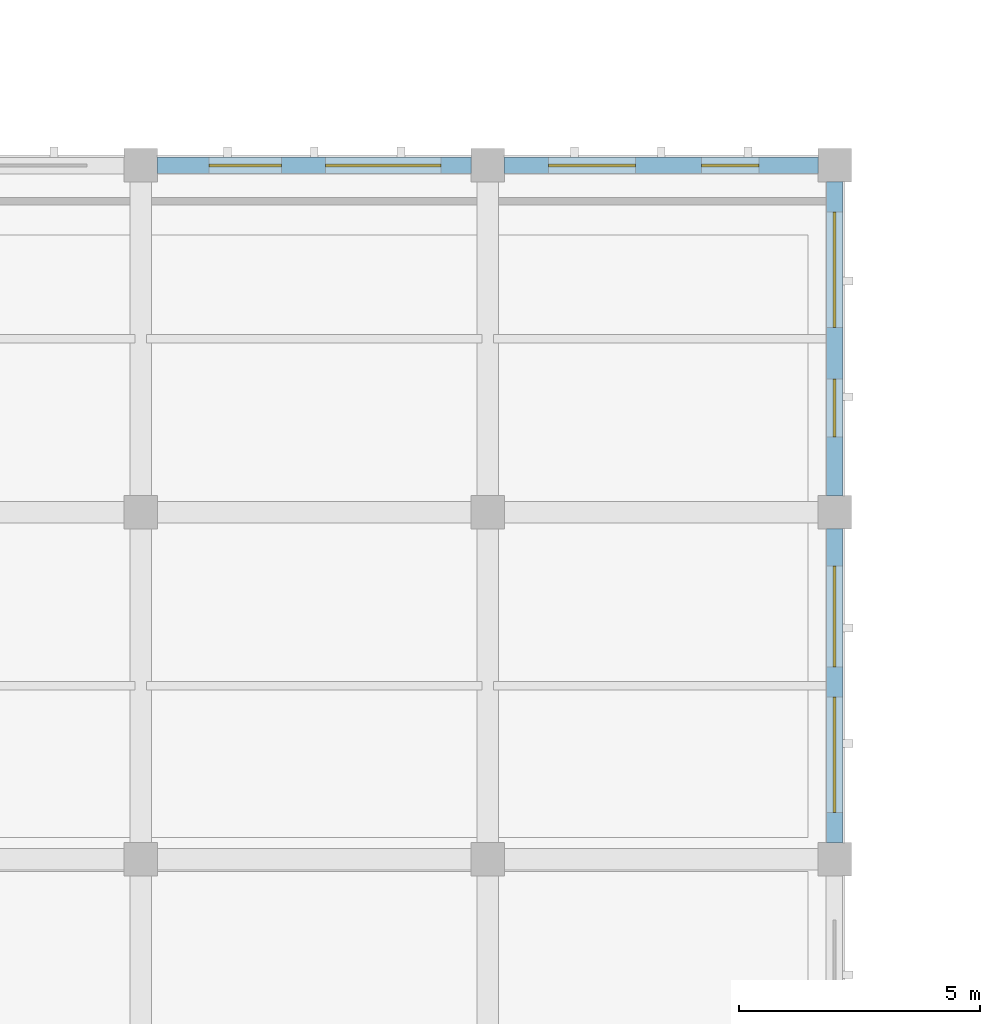
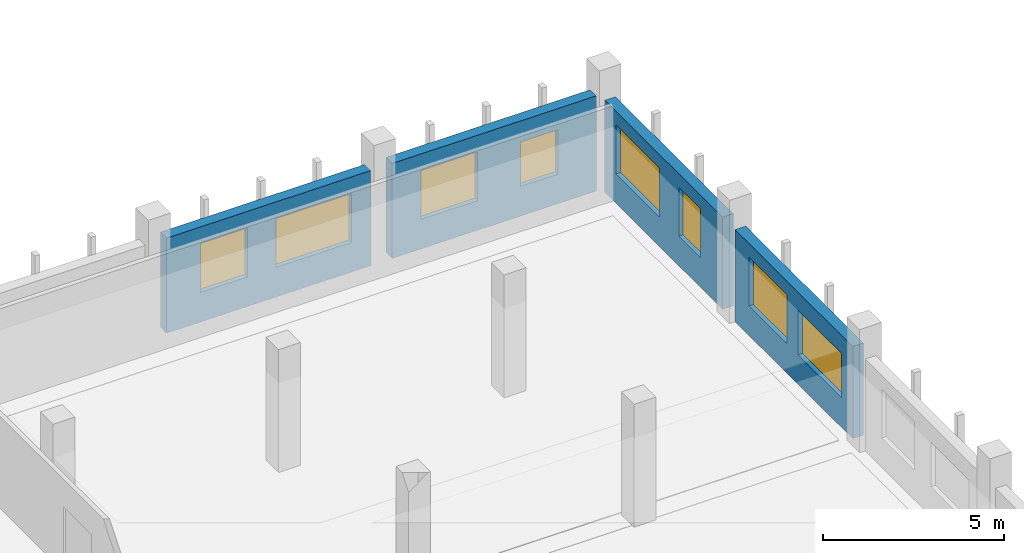
# One storey, part 38 of 57: 8 windows, 4 walls, 8 openings.
"""IFC4 building model written with IfcOpenShell, lengths in metres."""

import ifcopenshell
import ifcopenshell.guid

model = None  # the IFC model being written
_history = None  # IfcOwnerHistory: only IFC2X3 demands one
_inside = {}  # id of a spatial element -> (the spatial element, [elements in it])
_under = {}  # id of a project, library or spatial element -> (it, [spatial elements below it])
_declared = {}  # id of a project -> (the project, [libraries it declares])
_typed = {}  # id of a type object -> (the type object, [elements of that type])
_made_of = {}  # id of a material, layer set ... -> (it, [elements and type objects made of it])


def new_model(schema):
    """Start an empty IFC model of exactly this schema.

    Asked for "IFC4X3", IfcOpenShell would pick the latest addendum, in which some entities
    have other attributes; the version numbers below select the first issue.
    IFC2X3 requires an IfcOwnerHistory on every rooted entity: one is made here for all.
    """
    global model, _history
    if schema == "IFC4X3":
        model = ifcopenshell.file(schema_version=(4, 3, 0, 0))
    else:
        model = ifcopenshell.file(schema=schema)
    _inside.clear()
    _under.clear()
    _declared.clear()
    _typed.clear()
    _made_of.clear()
    _history = None
    if model.schema == "IFC2X3":
        org = make("IfcOrganization", Name="unknown")
        user = make(
            "IfcPersonAndOrganization",
            ThePerson=make("IfcPerson", FamilyName="unknown"),
            TheOrganization=org,
        )
        app = make(
            "IfcApplication",
            ApplicationDeveloper=org,
            Version="unknown",
            ApplicationFullName="unknown",
            ApplicationIdentifier="unknown",
        )
        _history = make(
            "IfcOwnerHistory",
            OwningUser=user,
            OwningApplication=app,
            ChangeAction="ADDED",
            CreationDate=0,
        )
    return model


def make(cls, **values):
    """One entity of the class cls with the attributes given. An attribute that is None is left unset."""
    return model.create_entity(
        cls, **{name: value for name, value in values.items() if value is not None}
    )


def rooted(cls, **values):
    """An entity with a GlobalId (a new one), such as an element, a storey or a relation."""
    return make(cls, GlobalId=ifcopenshell.guid.new(), OwnerHistory=_history, **values)


def si_unit(unit_type, name, prefix=None):
    """IfcSIUnit, for example si_unit("LENGTHUNIT", "METRE", prefix="MILLI")."""
    return make("IfcSIUnit", UnitType=unit_type, Prefix=prefix, Name=name)


def assignment(units):
    """IfcUnitAssignment: the units of a project."""
    return None if units is None else make("IfcUnitAssignment", Units=units)


def point(xyz):
    """IfcCartesianPoint."""
    return None if xyz is None else make("IfcCartesianPoint", Coordinates=xyz)


def direction(xyz):
    """IfcDirection."""
    return None if xyz is None else make("IfcDirection", DirectionRatios=xyz)


def frame(location, z_axis=None, x_axis=None):
    """IfcAxis2Placement3D, a coordinate frame: its origin and axes. An axis left out is left unset."""
    return make(
        "IfcAxis2Placement3D",
        Location=point(location),
        Axis=direction(z_axis),
        RefDirection=direction(x_axis),
    )


def frame_2d(location, x_axis=None):
    """IfcAxis2Placement2D, a coordinate frame in the plane: its origin and x axis."""
    return make(
        "IfcAxis2Placement2D", Location=point(location), RefDirection=direction(x_axis)
    )


def origin():
    """The frame at (0, 0, 0) with its axes left unset."""
    return frame((0.0, 0.0, 0.0))


def place(relative_to, where):
    """IfcLocalPlacement: puts the frame where relative to a parent placement (None: the world)."""
    return make(
        "IfcLocalPlacement", PlacementRelTo=relative_to, RelativePlacement=where
    )


def context(
    kind, dimensions, precision=None, world=None, true_north=None, identifier=None
):
    """IfcGeometricRepresentationContext, for example the 3D "Model" context."""
    return make(
        "IfcGeometricRepresentationContext",
        ContextIdentifier=identifier,
        ContextType=kind,
        CoordinateSpaceDimension=dimensions,
        Precision=precision,
        WorldCoordinateSystem=world,
        TrueNorth=true_north,
    )


def subcontext(parent, identifier, kind, view, scale=None):
    """IfcGeometricRepresentationSubContext, for example "Body" below "Model"."""
    return make(
        "IfcGeometricRepresentationSubContext",
        ContextIdentifier=identifier,
        ContextType=kind,
        ParentContext=parent,
        TargetScale=scale,
        TargetView=view,
    )


def project(units=None, contexts=None):
    """IfcProject with its units and contexts."""
    return rooted(
        "IfcProject",
        Name="project",
        RepresentationContexts=contexts,
        UnitsInContext=assignment(units),
    )


def spatial(cls, under=None, at=None, **own):
    """A site, building, storey or space (cls), placed at a placement, below another one or the project."""
    s = rooted(cls, ObjectPlacement=at, **own)
    if under is not None:
        _under.setdefault(under.id(), (under, []))[1].append(s)
    return s


def profile(cls, at=None, kind="AREA", **sizes):
    """A parametric profile (cls). Its sizes go by their IFC names, for example OverallWidth=200.0."""
    return make(cls, ProfileType=kind, Position=at, **sizes)


def rectangle(**sizes):
    """IfcRectangleProfileDef."""
    return profile("IfcRectangleProfileDef", **sizes)


def extrude(swept, where, along, depth):
    """IfcExtrudedAreaSolid: the profile swept, set in the frame where, extruded along a direction by depth."""
    return make(
        "IfcExtrudedAreaSolid",
        SweptArea=swept,
        Position=where,
        ExtrudedDirection=direction(along),
        Depth=depth,
    )


def shape(context_of_items, identifier, shape_type, items):
    """IfcShapeRepresentation: the items that make up one representation, for example the "Body"."""
    return make(
        "IfcShapeRepresentation",
        ContextOfItems=context_of_items,
        RepresentationIdentifier=identifier,
        RepresentationType=shape_type,
        Items=items,
    )


def material(Name=None, Category=None):
    """IfcMaterial."""
    return make("IfcMaterial", Name=Name, Category=Category)


def layer(
    of_material, thickness, ventilated=None, Name=None, Category=None, Priority=None
):
    """IfcMaterialLayer: one layer of a wall or slab, of a material (None: an air gap)."""
    return make(
        "IfcMaterialLayer",
        Material=of_material,
        LayerThickness=thickness,
        IsVentilated=ventilated,
        Name=Name,
        Category=Category,
        Priority=Priority,
    )


def layer_set(layers, Name=None):
    """IfcMaterialLayerSet."""
    return make("IfcMaterialLayerSet", MaterialLayers=layers, LayerSetName=Name)


def made_of(thing, what):
    """Note that an element or type object is made of a material, layer set ...; save() writes the relation."""
    if what is not None:
        _made_of.setdefault(what.id(), (what, []))[1].append(thing)
    return thing


def type_object(cls, material=None, **own):
    """A type object (cls), such as IfcWallType, which elements share."""
    return made_of(rooted(cls, **own), material)


def element(
    cls,
    number,
    at=None,
    inside=None,
    cuts=None,
    type_object=None,
    material=None,
    context=None,
    identifier="Body",
    shape_type=None,
    held_by="IfcProductDefinitionShape",
    body=None,
    shapes=None,
    **own,
):
    """One element of the class cls, such as IfcWall. Its Tag is "e" and its number.

    at: its placement. inside: the storey or other place that contains it. cuts: it is an
    opening in that element (IfcRelVoidsElement). A single representation is given by context,
    identifier, shape_type and body (its items); several are given by shapes. held_by: the class
    of the entity that holds the representations. save() writes the other relations.
    """
    e = rooted(cls, Tag="e%d" % number, ObjectPlacement=at, **own)
    if body is not None:
        shapes = [shape(context, identifier, shape_type, body)]
    if shapes is not None:
        e.Representation = make(held_by, Representations=shapes)
    if inside is not None:
        _inside.setdefault(inside.id(), (inside, []))[1].append(e)
    if cuts is not None:
        rooted(
            "IfcRelVoidsElement", RelatingBuildingElement=cuts, RelatedOpeningElement=e
        )
    if type_object is not None:
        _typed.setdefault(type_object.id(), (type_object, []))[1].append(e)
    return made_of(e, material)


def fill(opening, filler):
    """IfcRelFillsElement: the door or window that sits in an opening."""
    return rooted(
        "IfcRelFillsElement",
        RelatingOpeningElement=opening,
        RelatedBuildingElement=filler,
    )


def aggregate(whole, parts):
    """IfcRelAggregates: a whole, such as a stair, and the parts it consists of."""
    return rooted("IfcRelAggregates", RelatingObject=whole, RelatedObjects=parts)


def save(model, path):
    """Write the relations noted so far, then the file.

    IfcRelAggregates (storeys below a building ...), IfcRelContainedInSpatialStructure (elements
    in a storey), IfcRelDefinesByType, IfcRelAssociatesMaterial and IfcRelDeclares: one each for
    every whole, place, type object, material and project.
    """
    for whole, parts in _under.values():
        aggregate(whole, parts)
    for where, things in _inside.values():
        rooted(
            "IfcRelContainedInSpatialStructure",
            RelatedElements=things,
            RelatingStructure=where,
        )
    for kind, things in _typed.values():
        rooted("IfcRelDefinesByType", RelatedObjects=things, RelatingType=kind)
    for what, things in _made_of.values():
        rooted("IfcRelAssociatesMaterial", RelatedObjects=things, RelatingMaterial=what)
    for by, libraries in _declared.values():
        rooted("IfcRelDeclares", RelatingContext=by, RelatedDefinitions=libraries)
    model.write(path)


model = new_model("IFC4")

# Units and contexts
model_context = context("Model", 3, precision=1e-05, world=origin(), true_north=direction((0.0, 1.0)))
body_context = subcontext(model_context, "Body", "Model", "MODEL_VIEW")
ifc_project = project(units=[si_unit("LENGTHUNIT", "METRE"), si_unit("AREAUNIT", "SQUARE_METRE"), si_unit("VOLUMEUNIT", "CUBIC_METRE"), si_unit("PLANEANGLEUNIT", "RADIAN"), si_unit("MASSUNIT", "GRAM", prefix="KILO")], contexts=[model_context])

# Site, building, storey
site_placement = place(None, origin())
site = spatial("IfcSite", under=ifc_project, at=site_placement, CompositionType="ELEMENT")
building_placement = place(site_placement, origin())
building = spatial("IfcBuilding", under=site, at=building_placement, Name="Valkovuoma Quantum and Materials Research Institute", CompositionType="ELEMENT")
storey_placement = place(building_placement, frame((0.0, 0.0, 4.800048828125)))
storey = spatial("IfcBuildingStorey", under=building, at=storey_placement, Name="L01", CompositionType="ELEMENT", Elevation=4.800048828125)

# Wall, openings, windows
ifc_material_1 = material(Name="Precast concrete C40/50", Category="concrete")
ifc_layer = layer(ifc_material_1, 0.340087890625)
ifc_layer_set = layer_set([ifc_layer], Name="Precast concrete C40/50")
wall_type = type_object("IfcWallType", Name="Wall-W-EXT340", PredefinedType="SOLIDWALL", material=ifc_layer_set)
wall_1_placement = place(storey_placement, frame((36.340087890625, 108.0, 0.0), z_axis=(0.0, 0.0, 1.0), x_axis=(1.0, 0.0, 0.0)))
wall_1 = element("IfcWall", 1, at=wall_1_placement, inside=storey, type_object=wall_type, Name="L01 exterior wall 0131", PredefinedType="SOLIDWALL", context=body_context, shape_type="SweptSolid", body=[
    extrude(rectangle(XDim=6.52001953125, YDim=0.340087890625, at=frame_2d((3.260009765625, 0.0))), origin(), (0.0, 0.0, 1.0), 3.2099609375),
])
opening_1_placement = place(wall_1_placement, frame((1.07568359375, 0.0, 1.0)))
opening_1 = element("IfcOpeningElement", 2, at=opening_1_placement, cuts=wall_1, Name="Opening WN-CL07", PredefinedType="OPENING", context=body_context, shape_type="SweptSolid", body=[
    extrude(rectangle(XDim=1.5, YDim=1.64990234375, at=frame_2d((0.75, 0.824951171875))), frame((0.0, 0.18017578125, 0.0), z_axis=(0.0, -1.0, 0.0), x_axis=(1.0, 0.0, 0.0)), (0.0, 0.0, 1.0), 0.360107421875),
])
opening_2_placement = place(wall_1_placement, frame((3.494384765625, 0.0, 1.0)))
opening_2 = element("IfcOpeningElement", 3, at=opening_2_placement, cuts=wall_1, Name="Opening WN-CL10", PredefinedType="OPENING", context=body_context, shape_type="SweptSolid", body=[
    extrude(rectangle(XDim=2.39990234375, YDim=1.64990234375, at=frame_2d((1.199951171875, 0.824951171875))), frame((0.0, 0.18017578125, 0.0), z_axis=(0.0, -1.0, 0.0), x_axis=(1.0, 0.0, 0.0)), (0.0, 0.0, 1.0), 0.360107421875),
])
ifc_material_2 = material(Name="Triple low-E argon glazing in thermally broken aluminium frame", Category="aluminium")
window_type_1 = type_object("IfcWindowType", Name="Win-WN-CL07", PartitioningType="SINGLE_PANEL", PredefinedType="WINDOW", material=ifc_material_2)
window_1_placement = place(opening_1_placement, origin())
window_1 = element("IfcWindow", 4, at=window_1_placement, inside=storey, type_object=window_type_1, Name="L01 window 0132", OverallHeight=1.64990234375, OverallWidth=1.5, PartitioningType="SINGLE_PANEL", PredefinedType="WINDOW", context=body_context, shape_type="SweptSolid", body=[
    extrude(rectangle(XDim=1.5, YDim=1.64990234375, at=frame_2d((0.75, 0.824951171875))), frame((0.0, 0.030029296875, 0.0), z_axis=(0.0, -1.0, 0.0), x_axis=(1.0, 0.0, 0.0)), (0.0, 0.0, 1.0), 0.06005859375),
])
fill(opening_1, window_1)
ifc_material_3 = material(Name="Triple low-E argon glazing in thermally broken aluminium frame", Category="aluminium")
window_type_2 = type_object("IfcWindowType", Name="Win-WN-CL10", PartitioningType="SINGLE_PANEL", PredefinedType="WINDOW", material=ifc_material_3)
window_2_placement = place(opening_2_placement, origin())
window_2 = element("IfcWindow", 5, at=window_2_placement, inside=storey, type_object=window_type_2, Name="L01 window 0133", OverallHeight=1.64990234375, OverallWidth=2.39990234375, PartitioningType="SINGLE_PANEL", PredefinedType="WINDOW", context=body_context, shape_type="SweptSolid", body=[
    extrude(rectangle(XDim=2.39990234375, YDim=1.64990234375, at=frame_2d((1.199951171875, 0.824951171875))), frame((0.0, 0.030029296875, 0.0), z_axis=(0.0, -1.0, 0.0), x_axis=(1.0, 0.0, 0.0)), (0.0, 0.0, 1.0), 0.06005859375),
])
fill(opening_2, window_2)

wall_2_placement = place(storey_placement, frame((43.5400390625, 108.0, 0.0), z_axis=(0.0, 0.0, 1.0), x_axis=(1.0, 0.0, 0.0)))
wall_2 = element("IfcWall", 6, at=wall_2_placement, inside=storey, type_object=wall_type, Name="L01 exterior wall 0132", PredefinedType="SOLIDWALL", context=body_context, shape_type="SweptSolid", body=[
    extrude(rectangle(XDim=6.52001953125, YDim=0.340087890625, at=frame_2d((3.260009765625, 0.0))), origin(), (0.0, 0.0, 1.0), 3.2099609375),
])
opening_3_placement = place(wall_2_placement, frame((0.925537109375, 0.0, 1.0)))
opening_3 = element("IfcOpeningElement", 7, at=opening_3_placement, cuts=wall_2, Name="Opening WN-CL08", PredefinedType="OPENING", context=body_context, shape_type="SweptSolid", body=[
    extrude(rectangle(XDim=1.800048828125, YDim=1.64990234375, at=frame_2d((0.89990234375, 0.824951171875))), frame((0.0, 0.18017578125, 0.0), z_axis=(0.0, -1.0, 0.0), x_axis=(1.0, 0.0, 0.0)), (0.0, 0.0, 1.0), 0.360107421875),
])
opening_4_placement = place(wall_2_placement, frame((4.094482421875, 0.0, 1.0)))
opening_4 = element("IfcOpeningElement", 8, at=opening_4_placement, cuts=wall_2, Name="Opening WN-CL01", PredefinedType="OPENING", context=body_context, shape_type="SweptSolid", body=[
    extrude(rectangle(XDim=1.199951171875, YDim=1.5, at=frame_2d((0.60009765625, 0.75))), frame((0.0, 0.18017578125, 0.0), z_axis=(0.0, -1.0, 0.0), x_axis=(1.0, 0.0, 0.0)), (0.0, 0.0, 1.0), 0.360107421875),
])
ifc_material_4 = material(Name="Triple low-E argon glazing in thermally broken aluminium frame", Category="aluminium")
window_type_3 = type_object("IfcWindowType", Name="Win-WN-CL01", PartitioningType="SINGLE_PANEL", PredefinedType="WINDOW", material=ifc_material_4)
window_3_placement = place(opening_4_placement, origin())
window_3 = element("IfcWindow", 9, at=window_3_placement, inside=storey, type_object=window_type_3, Name="L01 window 0135", OverallHeight=1.5, OverallWidth=1.199951171875, PartitioningType="SINGLE_PANEL", PredefinedType="WINDOW", context=body_context, shape_type="SweptSolid", body=[
    extrude(rectangle(XDim=1.199951171875, YDim=1.5, at=frame_2d((0.60009765625, 0.75))), frame((0.0, 0.030029296875, 0.0), z_axis=(0.0, -1.0, 0.0), x_axis=(1.0, 0.0, 0.0)), (0.0, 0.0, 1.0), 0.06005859375),
])
fill(opening_4, window_3)
ifc_material_5 = material(Name="Triple low-E argon glazing in thermally broken aluminium frame", Category="aluminium")
window_type_4 = type_object("IfcWindowType", Name="Win-WN-CL08", PartitioningType="SINGLE_PANEL", PredefinedType="WINDOW", material=ifc_material_5)
window_4_placement = place(opening_3_placement, origin())
window_4 = element("IfcWindow", 10, at=window_4_placement, inside=storey, type_object=window_type_4, Name="L01 window 0134", OverallHeight=1.64990234375, OverallWidth=1.800048828125, PartitioningType="SINGLE_PANEL", PredefinedType="WINDOW", context=body_context, shape_type="SweptSolid", body=[
    extrude(rectangle(XDim=1.800048828125, YDim=1.64990234375, at=frame_2d((0.89990234375, 0.824951171875))), frame((0.0, 0.030029296875, 0.0), z_axis=(0.0, -1.0, 0.0), x_axis=(1.0, 0.0, 0.0)), (0.0, 0.0, 1.0), 0.06005859375),
])
fill(opening_3, window_4)

wall_3_placement = place(storey_placement, frame((50.39990234375, 93.93994140625, 0.0), z_axis=(0.0, 0.0, 1.0), x_axis=(0.0, 1.0, 0.0)))
wall_3 = element("IfcWall", 11, at=wall_3_placement, inside=storey, type_object=wall_type, Name="L01 exterior wall 0137", PredefinedType="SOLIDWALL", context=body_context, shape_type="SweptSolid", body=[
    extrude(rectangle(XDim=6.52001953125, YDim=0.340087890625, at=frame_2d((3.260009765625, 0.0))), origin(), (0.0, 0.0, 1.0), 3.10986328125),
])
opening_5_placement = place(wall_3_placement, frame((0.62548828125, 0.0, 1.0)))
opening_5 = element("IfcOpeningElement", 12, at=opening_5_placement, cuts=wall_3, Name="Opening WN-CL05", PredefinedType="OPENING", context=body_context, shape_type="SweptSolid", body=[
    extrude(rectangle(XDim=2.39990234375, YDim=1.5, at=frame_2d((1.199951171875, 0.75))), frame((0.0, 0.18017578125, 0.0), z_axis=(0.0, -1.0, 0.0), x_axis=(1.0, 0.0, 0.0)), (0.0, 0.0, 1.0), 0.360107421875),
])
opening_6_placement = place(wall_3_placement, frame((3.644287109375, 0.0, 1.0)))
opening_6 = element("IfcOpeningElement", 13, at=opening_6_placement, cuts=wall_3, Name="Opening WN-CL09", PredefinedType="OPENING", context=body_context, shape_type="SweptSolid", body=[
    extrude(rectangle(XDim=2.10009765625, YDim=1.64990234375, at=frame_2d((1.050048828125, 0.824951171875))), frame((0.0, 0.18017578125, 0.0), z_axis=(0.0, -1.0, 0.0), x_axis=(1.0, 0.0, 0.0)), (0.0, 0.0, 1.0), 0.360107421875),
])
ifc_material_6 = material(Name="Triple low-E argon glazing in thermally broken aluminium frame", Category="aluminium")
window_type_5 = type_object("IfcWindowType", Name="Win-WN-CL05", PartitioningType="SINGLE_PANEL", PredefinedType="WINDOW", material=ifc_material_6)
window_5_placement = place(opening_5_placement, origin())
window_5 = element("IfcWindow", 14, at=window_5_placement, inside=storey, type_object=window_type_5, Name="L01 window 0144", OverallHeight=1.5, OverallWidth=2.39990234375, PartitioningType="SINGLE_PANEL", PredefinedType="WINDOW", context=body_context, shape_type="SweptSolid", body=[
    extrude(rectangle(XDim=2.39990234375, YDim=1.5, at=frame_2d((1.199951171875, 0.75))), frame((0.0, 0.030029296875, 0.0), z_axis=(0.0, -1.0, 0.0), x_axis=(1.0, 0.0, 0.0)), (0.0, 0.0, 1.0), 0.06005859375),
])
fill(opening_5, window_5)
ifc_material_7 = material(Name="Triple low-E argon glazing in thermally broken aluminium frame", Category="aluminium")
window_type_6 = type_object("IfcWindowType", Name="Win-WN-CL09", PartitioningType="SINGLE_PANEL", PredefinedType="WINDOW", material=ifc_material_7)
window_6_placement = place(opening_6_placement, origin())
window_6 = element("IfcWindow", 15, at=window_6_placement, inside=storey, type_object=window_type_6, Name="L01 window 0145", OverallHeight=1.64990234375, OverallWidth=2.10009765625, PartitioningType="SINGLE_PANEL", PredefinedType="WINDOW", context=body_context, shape_type="SweptSolid", body=[
    extrude(rectangle(XDim=2.10009765625, YDim=1.64990234375, at=frame_2d((1.050048828125, 0.824951171875))), frame((0.0, 0.030029296875, 0.0), z_axis=(0.0, -1.0, 0.0), x_axis=(1.0, 0.0, 0.0)), (0.0, 0.0, 1.0), 0.06005859375),
])
fill(opening_6, window_6)

wall_4_placement = place(storey_placement, frame((50.39990234375, 101.139892578125, 0.0), z_axis=(0.0, 0.0, 1.0), x_axis=(0.0, 1.0, 0.0)))
wall_4 = element("IfcWall", 16, at=wall_4_placement, inside=storey, type_object=wall_type, Name="L01 exterior wall 0138", PredefinedType="SOLIDWALL", context=body_context, shape_type="SweptSolid", body=[
    extrude(rectangle(XDim=6.52001953125, YDim=0.340087890625, at=frame_2d((3.260009765625, 0.0))), origin(), (0.0, 0.0, 1.0), 3.10986328125),
])
opening_7_placement = place(wall_4_placement, frame((1.2255859375, 0.0, 1.0)))
opening_7 = element("IfcOpeningElement", 17, at=opening_7_placement, cuts=wall_4, Name="Opening WN-CL06", PredefinedType="OPENING", context=body_context, shape_type="SweptSolid", body=[
    extrude(rectangle(XDim=1.199951171875, YDim=1.64990234375, at=frame_2d((0.60009765625, 0.824951171875))), frame((0.0, 0.18017578125, 0.0), z_axis=(0.0, -1.0, 0.0), x_axis=(1.0, 0.0, 0.0)), (0.0, 0.0, 1.0), 0.360107421875),
])
opening_8_placement = place(wall_4_placement, frame((3.494384765625, 0.0, 1.0)))
opening_8 = element("IfcOpeningElement", 18, at=opening_8_placement, cuts=wall_4, Name="Opening WN-CL10", PredefinedType="OPENING", context=body_context, shape_type="SweptSolid", body=[
    extrude(rectangle(XDim=2.39990234375, YDim=1.64990234375, at=frame_2d((1.199951171875, 0.824951171875))), frame((0.0, 0.18017578125, 0.0), z_axis=(0.0, -1.0, 0.0), x_axis=(1.0, 0.0, 0.0)), (0.0, 0.0, 1.0), 0.360107421875),
])
ifc_material_8 = material(Name="Triple low-E argon glazing in thermally broken aluminium frame", Category="aluminium")
window_type_7 = type_object("IfcWindowType", Name="Win-WN-CL06", PartitioningType="SINGLE_PANEL", PredefinedType="WINDOW", material=ifc_material_8)
window_7_placement = place(opening_7_placement, origin())
window_7 = element("IfcWindow", 19, at=window_7_placement, inside=storey, type_object=window_type_7, Name="L01 window 0146", OverallHeight=1.64990234375, OverallWidth=1.199951171875, PartitioningType="SINGLE_PANEL", PredefinedType="WINDOW", context=body_context, shape_type="SweptSolid", body=[
    extrude(rectangle(XDim=1.199951171875, YDim=1.64990234375, at=frame_2d((0.60009765625, 0.824951171875))), frame((0.0, 0.030029296875, 0.0), z_axis=(0.0, -1.0, 0.0), x_axis=(1.0, 0.0, 0.0)), (0.0, 0.0, 1.0), 0.06005859375),
])
fill(opening_7, window_7)
window_8_placement = place(opening_8_placement, origin())
window_8 = element("IfcWindow", 20, at=window_8_placement, inside=storey, type_object=window_type_2, Name="L01 window 0147", OverallHeight=1.64990234375, OverallWidth=2.39990234375, PartitioningType="SINGLE_PANEL", PredefinedType="WINDOW", context=body_context, shape_type="SweptSolid", body=[
    extrude(rectangle(XDim=2.39990234375, YDim=1.64990234375, at=frame_2d((1.199951171875, 0.824951171875))), frame((0.0, 0.030029296875, 0.0), z_axis=(0.0, -1.0, 0.0), x_axis=(1.0, 0.0, 0.0)), (0.0, 0.0, 1.0), 0.06005859375),
])
fill(opening_8, window_8)

save(model, "model.ifc")
